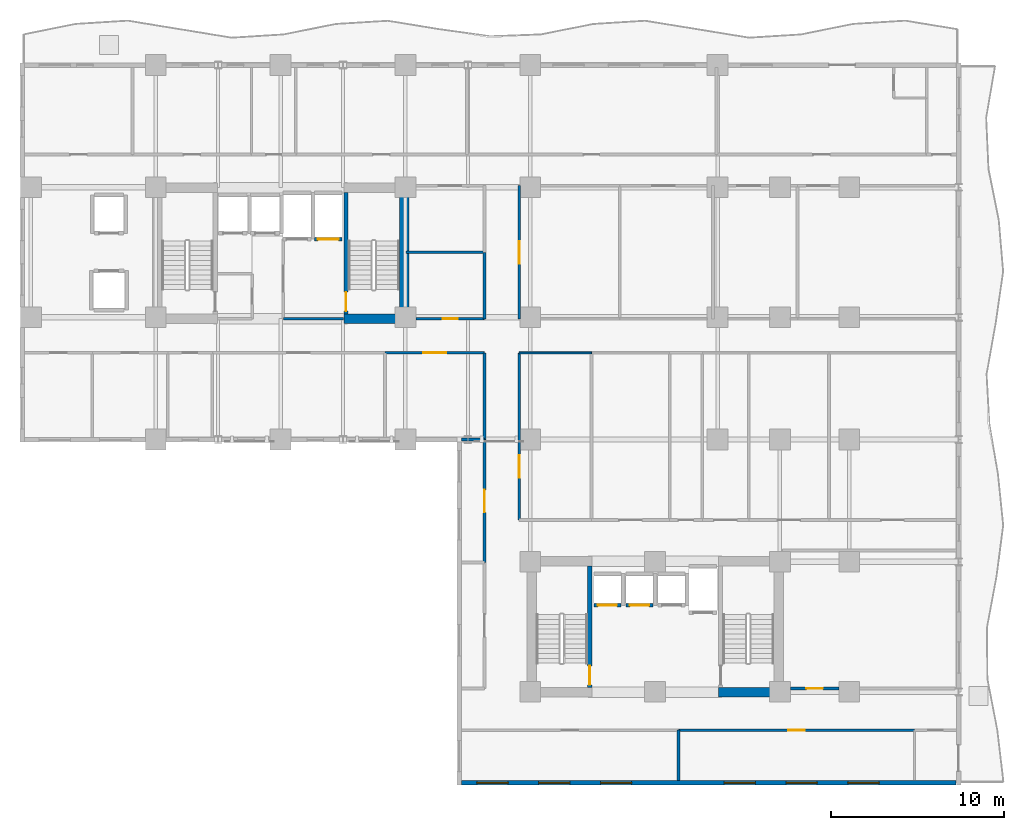
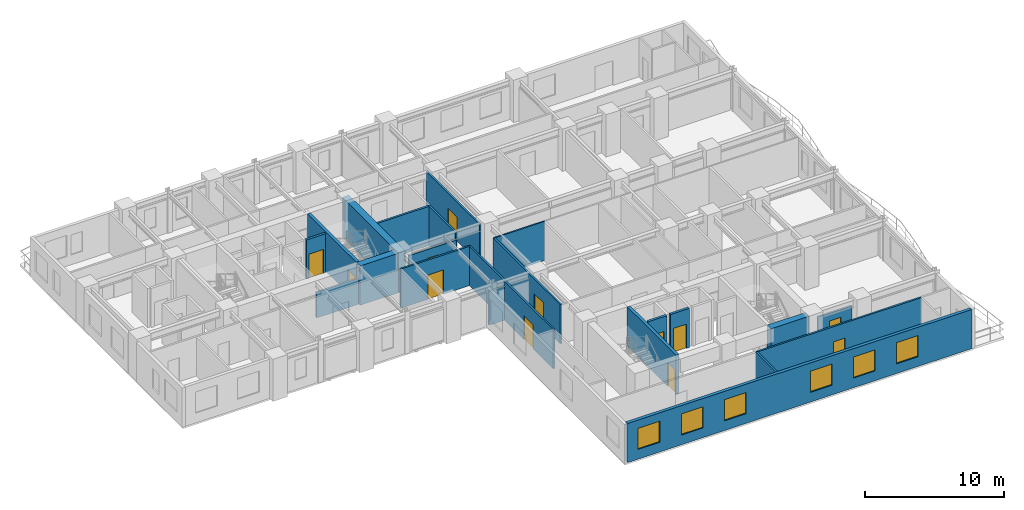
# One storey, part 4 of 11: 23 walls, 12 doors, 6 windows, 18 openings.
"""IFC4 building model written with IfcOpenShell, lengths in metres."""

import ifcopenshell
import ifcopenshell.guid

model = None  # the IFC model being written
_history = None  # IfcOwnerHistory: only IFC2X3 demands one
_inside = {}  # id of a spatial element -> (the spatial element, [elements in it])
_under = {}  # id of a project, library or spatial element -> (it, [spatial elements below it])
_declared = {}  # id of a project -> (the project, [libraries it declares])
_typed = {}  # id of a type object -> (the type object, [elements of that type])
_made_of = {}  # id of a material, layer set ... -> (it, [elements and type objects made of it])


def new_model(schema):
    """Start an empty IFC model of exactly this schema.

    Asked for "IFC4X3", IfcOpenShell would pick the latest addendum, in which some entities
    have other attributes; the version numbers below select the first issue.
    IFC2X3 requires an IfcOwnerHistory on every rooted entity: one is made here for all.
    """
    global model, _history
    if schema == "IFC4X3":
        model = ifcopenshell.file(schema_version=(4, 3, 0, 0))
    else:
        model = ifcopenshell.file(schema=schema)
    _inside.clear()
    _under.clear()
    _declared.clear()
    _typed.clear()
    _made_of.clear()
    _history = None
    if model.schema == "IFC2X3":
        org = make("IfcOrganization", Name="unknown")
        user = make(
            "IfcPersonAndOrganization",
            ThePerson=make("IfcPerson", FamilyName="unknown"),
            TheOrganization=org,
        )
        app = make(
            "IfcApplication",
            ApplicationDeveloper=org,
            Version="unknown",
            ApplicationFullName="unknown",
            ApplicationIdentifier="unknown",
        )
        _history = make(
            "IfcOwnerHistory",
            OwningUser=user,
            OwningApplication=app,
            ChangeAction="ADDED",
            CreationDate=0,
        )
    return model


def make(cls, **values):
    """One entity of the class cls with the attributes given. An attribute that is None is left unset."""
    return model.create_entity(
        cls, **{name: value for name, value in values.items() if value is not None}
    )


def rooted(cls, **values):
    """An entity with a GlobalId (a new one), such as an element, a storey or a relation."""
    return make(cls, GlobalId=ifcopenshell.guid.new(), OwnerHistory=_history, **values)


def si_unit(unit_type, name, prefix=None):
    """IfcSIUnit, for example si_unit("LENGTHUNIT", "METRE", prefix="MILLI")."""
    return make("IfcSIUnit", UnitType=unit_type, Prefix=prefix, Name=name)


def assignment(units):
    """IfcUnitAssignment: the units of a project."""
    return None if units is None else make("IfcUnitAssignment", Units=units)


def point(xyz):
    """IfcCartesianPoint."""
    return None if xyz is None else make("IfcCartesianPoint", Coordinates=xyz)


def direction(xyz):
    """IfcDirection."""
    return None if xyz is None else make("IfcDirection", DirectionRatios=xyz)


def frame(location, z_axis=None, x_axis=None):
    """IfcAxis2Placement3D, a coordinate frame: its origin and axes. An axis left out is left unset."""
    return make(
        "IfcAxis2Placement3D",
        Location=point(location),
        Axis=direction(z_axis),
        RefDirection=direction(x_axis),
    )


def frame_2d(location, x_axis=None):
    """IfcAxis2Placement2D, a coordinate frame in the plane: its origin and x axis."""
    return make(
        "IfcAxis2Placement2D", Location=point(location), RefDirection=direction(x_axis)
    )


def origin():
    """The frame at (0, 0, 0) with its axes left unset."""
    return frame((0.0, 0.0, 0.0))


def place(relative_to, where):
    """IfcLocalPlacement: puts the frame where relative to a parent placement (None: the world)."""
    return make(
        "IfcLocalPlacement", PlacementRelTo=relative_to, RelativePlacement=where
    )


def context(
    kind, dimensions, precision=None, world=None, true_north=None, identifier=None
):
    """IfcGeometricRepresentationContext, for example the 3D "Model" context."""
    return make(
        "IfcGeometricRepresentationContext",
        ContextIdentifier=identifier,
        ContextType=kind,
        CoordinateSpaceDimension=dimensions,
        Precision=precision,
        WorldCoordinateSystem=world,
        TrueNorth=true_north,
    )


def subcontext(parent, identifier, kind, view, scale=None):
    """IfcGeometricRepresentationSubContext, for example "Body" below "Model"."""
    return make(
        "IfcGeometricRepresentationSubContext",
        ContextIdentifier=identifier,
        ContextType=kind,
        ParentContext=parent,
        TargetScale=scale,
        TargetView=view,
    )


def project(units=None, contexts=None):
    """IfcProject with its units and contexts."""
    return rooted(
        "IfcProject",
        Name="project",
        RepresentationContexts=contexts,
        UnitsInContext=assignment(units),
    )


def spatial(cls, under=None, at=None, **own):
    """A site, building, storey or space (cls), placed at a placement, below another one or the project."""
    s = rooted(cls, ObjectPlacement=at, **own)
    if under is not None:
        _under.setdefault(under.id(), (under, []))[1].append(s)
    return s


def profile(cls, at=None, kind="AREA", **sizes):
    """A parametric profile (cls). Its sizes go by their IFC names, for example OverallWidth=200.0."""
    return make(cls, ProfileType=kind, Position=at, **sizes)


def rectangle(**sizes):
    """IfcRectangleProfileDef."""
    return profile("IfcRectangleProfileDef", **sizes)


def extrude(swept, where, along, depth):
    """IfcExtrudedAreaSolid: the profile swept, set in the frame where, extruded along a direction by depth."""
    return make(
        "IfcExtrudedAreaSolid",
        SweptArea=swept,
        Position=where,
        ExtrudedDirection=direction(along),
        Depth=depth,
    )


def shape(context_of_items, identifier, shape_type, items):
    """IfcShapeRepresentation: the items that make up one representation, for example the "Body"."""
    return make(
        "IfcShapeRepresentation",
        ContextOfItems=context_of_items,
        RepresentationIdentifier=identifier,
        RepresentationType=shape_type,
        Items=items,
    )


def material(Name=None, Category=None):
    """IfcMaterial."""
    return make("IfcMaterial", Name=Name, Category=Category)


def layer(
    of_material, thickness, ventilated=None, Name=None, Category=None, Priority=None
):
    """IfcMaterialLayer: one layer of a wall or slab, of a material (None: an air gap)."""
    return make(
        "IfcMaterialLayer",
        Material=of_material,
        LayerThickness=thickness,
        IsVentilated=ventilated,
        Name=Name,
        Category=Category,
        Priority=Priority,
    )


def layer_set(layers, Name=None):
    """IfcMaterialLayerSet."""
    return make("IfcMaterialLayerSet", MaterialLayers=layers, LayerSetName=Name)


def made_of(thing, what):
    """Note that an element or type object is made of a material, layer set ...; save() writes the relation."""
    if what is not None:
        _made_of.setdefault(what.id(), (what, []))[1].append(thing)
    return thing


def type_object(cls, material=None, **own):
    """A type object (cls), such as IfcWallType, which elements share."""
    return made_of(rooted(cls, **own), material)


def element(
    cls,
    number,
    at=None,
    inside=None,
    cuts=None,
    type_object=None,
    material=None,
    context=None,
    identifier="Body",
    shape_type=None,
    held_by="IfcProductDefinitionShape",
    body=None,
    shapes=None,
    **own,
):
    """One element of the class cls, such as IfcWall. Its Tag is "e" and its number.

    at: its placement. inside: the storey or other place that contains it. cuts: it is an
    opening in that element (IfcRelVoidsElement). A single representation is given by context,
    identifier, shape_type and body (its items); several are given by shapes. held_by: the class
    of the entity that holds the representations. save() writes the other relations.
    """
    e = rooted(cls, Tag="e%d" % number, ObjectPlacement=at, **own)
    if body is not None:
        shapes = [shape(context, identifier, shape_type, body)]
    if shapes is not None:
        e.Representation = make(held_by, Representations=shapes)
    if inside is not None:
        _inside.setdefault(inside.id(), (inside, []))[1].append(e)
    if cuts is not None:
        rooted(
            "IfcRelVoidsElement", RelatingBuildingElement=cuts, RelatedOpeningElement=e
        )
    if type_object is not None:
        _typed.setdefault(type_object.id(), (type_object, []))[1].append(e)
    return made_of(e, material)


def fill(opening, filler):
    """IfcRelFillsElement: the door or window that sits in an opening."""
    return rooted(
        "IfcRelFillsElement",
        RelatingOpeningElement=opening,
        RelatedBuildingElement=filler,
    )


def aggregate(whole, parts):
    """IfcRelAggregates: a whole, such as a stair, and the parts it consists of."""
    return rooted("IfcRelAggregates", RelatingObject=whole, RelatedObjects=parts)


def save(model, path):
    """Write the relations noted so far, then the file.

    IfcRelAggregates (storeys below a building ...), IfcRelContainedInSpatialStructure (elements
    in a storey), IfcRelDefinesByType, IfcRelAssociatesMaterial and IfcRelDeclares: one each for
    every whole, place, type object, material and project.
    """
    for whole, parts in _under.values():
        aggregate(whole, parts)
    for where, things in _inside.values():
        rooted(
            "IfcRelContainedInSpatialStructure",
            RelatedElements=things,
            RelatingStructure=where,
        )
    for kind, things in _typed.values():
        rooted("IfcRelDefinesByType", RelatedObjects=things, RelatingType=kind)
    for what, things in _made_of.values():
        rooted("IfcRelAssociatesMaterial", RelatedObjects=things, RelatingMaterial=what)
    for by, libraries in _declared.values():
        rooted("IfcRelDeclares", RelatingContext=by, RelatedDefinitions=libraries)
    model.write(path)


model = new_model("IFC4")

# Units and contexts
model_context = context("Model", 3, precision=1e-05, world=origin(), true_north=direction((0.0, 1.0)))
body_context = subcontext(model_context, "Body", "Model", "MODEL_VIEW")
ifc_project = project(units=[si_unit("LENGTHUNIT", "METRE"), si_unit("AREAUNIT", "SQUARE_METRE"), si_unit("VOLUMEUNIT", "CUBIC_METRE"), si_unit("PLANEANGLEUNIT", "RADIAN"), si_unit("MASSUNIT", "GRAM", prefix="KILO")], contexts=[model_context])

# Site, building, storey
site_placement = place(None, origin())
site = spatial("IfcSite", under=ifc_project, at=site_placement, CompositionType="ELEMENT")
building_placement = place(site_placement, origin())
building = spatial("IfcBuilding", under=site, at=building_placement, Name="Kaliganga Portal Commons", CompositionType="ELEMENT")
storey_placement = place(building_placement, frame((0.0, 0.0, 89.699951171875)))
storey = spatial("IfcBuildingStorey", under=building, at=storey_placement, Name="L22", CompositionType="ELEMENT", Elevation=89.699951171875)

# Walls
ifc_material_1 = material(Name="Concrete C60/75", Category="concrete")
ifc_layer_1 = layer(ifc_material_1, 0.550048828125)
ifc_layer_set_1 = layer_set([ifc_layer_1], Name="Concrete C60/75")
wall_type_1 = type_object("IfcWallType", Name="WL-CORE-550", PredefinedType="SHEAR", material=ifc_layer_set_1)
wall_1_placement = place(storey_placement, frame((28.72509765625, 28.300048828125, 0.0), z_axis=(0.0, 0.0, 1.0), x_axis=(0.0, 1.0, 0.0)))
element("IfcWall", 1, at=wall_1_placement, inside=storey, type_object=wall_type_1, Name="Core A East Shear Wall L22", PredefinedType="SHEAR", context=body_context, shape_type="SweptSolid", body=[
    extrude(rectangle(XDim=8.099853515625, YDim=0.550048828125, at=frame_2d((4.0498046875, 0.0))), origin(), (0.0, 0.0, 1.0), 3.449951171875),
])
for number, where, z_axis, x_axis, name in (
    (2, (25.25, 28.574951171875, 0.0), (0.0, 0.0, 1.0), (1.0, 0.0, 0.0), "Core A S-East Shear Wall L22"),
    (3, (46.85009765625, 7.02490234375, 0.0), (0.0, 0.0, 1.0), (1.0, 0.0, 0.0), "Core B S-East Shear Wall L22"),
):
    element("IfcWall", number, at=place(storey_placement, frame(where, z_axis=z_axis, x_axis=x_axis)), inside=storey, type_object=wall_type_1, Name=name, PredefinedType="SHEAR", context=body_context, shape_type="SweptSolid", body=[
        extrude(rectangle(XDim=3.199951171875, YDim=0.550048828125, at=frame_2d((1.60009765625, 0.0))), origin(), (0.0, 0.0, 1.0), 3.449951171875),
    ])

# Wall, openings, windows
ifc_material_2 = material(Name="Insulated Aluminium-Clad Spandrel Assembly", Category="aluminium")
ifc_layer_2 = layer(ifc_material_2, 0.260009765625)
ifc_layer_set_2 = layer_set([ifc_layer_2], Name="Insulated Aluminium-Clad Spandrel Assembly")
wall_type_2 = type_object("IfcWallType", Name="WL-EXT-SPAND-260", PredefinedType="STANDARD", material=ifc_layer_set_2)
wall_2_placement = place(storey_placement, frame((60.56494140625, 1.800048828125, 0.0), z_axis=(0.0, 0.0, 1.0), x_axis=(-1.0, 0.0, 0.0)))
wall_2 = element("IfcWall", 4, at=wall_2_placement, inside=storey, type_object=wall_type_2, Name="Exterior Envelope Wall L22 P1-E00-S1", PredefinedType="STANDARD", context=body_context, shape_type="SweptSolid", body=[
    extrude(rectangle(XDim=28.530029296875, YDim=0.260009765625, at=frame_2d((14.26513671875, 0.0))), origin(), (0.0, 0.0, 1.0), 3.429931640625),
])
opening_1_placement = place(wall_2_placement, frame((4.449462890625, 0.0, 0.85009765625)))
opening_1 = element("IfcOpeningElement", 5, at=opening_1_placement, cuts=wall_2, Name="Opening W-01", PredefinedType="OPENING", context=body_context, shape_type="SweptSolid", body=[
    extrude(rectangle(XDim=1.800048828125, YDim=1.85009765625, at=frame_2d((0.89990234375, 0.925048828125))), frame((0.0, 0.14013671875, 0.0), z_axis=(0.0, -1.0, 0.0), x_axis=(1.0, 0.0, 0.0)), (0.0, 0.0, 1.0), 0.280029296875),
])
opening_2_placement = place(wall_2_placement, frame((8.015625, 0.0, 0.85009765625)))
opening_2 = element("IfcOpeningElement", 6, at=opening_2_placement, cuts=wall_2, Name="Opening W-01", PredefinedType="OPENING", context=body_context, shape_type="SweptSolid", body=[
    extrude(rectangle(XDim=1.800048828125, YDim=1.85009765625, at=frame_2d((0.89990234375, 0.925048828125))), frame((0.0, 0.14013671875, 0.0), z_axis=(0.0, -1.0, 0.0), x_axis=(1.0, 0.0, 0.0)), (0.0, 0.0, 1.0), 0.280029296875),
])
opening_3_placement = place(wall_2_placement, frame((11.581787109375, 0.0, 0.85009765625)))
opening_3 = element("IfcOpeningElement", 7, at=opening_3_placement, cuts=wall_2, Name="Opening W-01", PredefinedType="OPENING", context=body_context, shape_type="SweptSolid", body=[
    extrude(rectangle(XDim=1.800048828125, YDim=1.85009765625, at=frame_2d((0.89990234375, 0.925048828125))), frame((0.0, 0.14013671875, 0.0), z_axis=(0.0, -1.0, 0.0), x_axis=(1.0, 0.0, 0.0)), (0.0, 0.0, 1.0), 0.280029296875),
])
opening_4_placement = place(wall_2_placement, frame((18.71435546875, 0.0, 0.85009765625)))
opening_4 = element("IfcOpeningElement", 8, at=opening_4_placement, cuts=wall_2, Name="Opening W-01", PredefinedType="OPENING", context=body_context, shape_type="SweptSolid", body=[
    extrude(rectangle(XDim=1.800048828125, YDim=1.85009765625, at=frame_2d((0.89990234375, 0.925048828125))), frame((0.0, 0.14013671875, 0.0), z_axis=(0.0, -1.0, 0.0), x_axis=(1.0, 0.0, 0.0)), (0.0, 0.0, 1.0), 0.280029296875),
])
opening_5_placement = place(wall_2_placement, frame((22.280517578125, 0.0, 0.85009765625)))
opening_5 = element("IfcOpeningElement", 9, at=opening_5_placement, cuts=wall_2, Name="Opening W-01", PredefinedType="OPENING", context=body_context, shape_type="SweptSolid", body=[
    extrude(rectangle(XDim=1.800048828125, YDim=1.85009765625, at=frame_2d((0.89990234375, 0.925048828125))), frame((0.0, 0.14013671875, 0.0), z_axis=(0.0, -1.0, 0.0), x_axis=(1.0, 0.0, 0.0)), (0.0, 0.0, 1.0), 0.280029296875),
])
opening_6_placement = place(wall_2_placement, frame((25.846923828125, 0.0, 0.85009765625)))
opening_6 = element("IfcOpeningElement", 10, at=opening_6_placement, cuts=wall_2, Name="Opening W-01", PredefinedType="OPENING", context=body_context, shape_type="SweptSolid", body=[
    extrude(rectangle(XDim=1.800048828125, YDim=1.85009765625, at=frame_2d((0.89990234375, 0.925048828125))), frame((0.0, 0.14013671875, 0.0), z_axis=(0.0, -1.0, 0.0), x_axis=(1.0, 0.0, 0.0)), (0.0, 0.0, 1.0), 0.280029296875),
])
ifc_material_3 = material(Name="Thermally Broken Aluminium and Low-E Double Glazing", Category="aluminium")
window_type = type_object("IfcWindowType", Name="WIN-STD-1800", PartitioningType="DOUBLE_PANEL_VERTICAL", PredefinedType="WINDOW", material=ifc_material_3)
window_1_placement = place(opening_1_placement, origin())
window_1 = element("IfcWindow", 11, at=window_1_placement, inside=storey, type_object=window_type, Name="Facade Window L22-P1E00S1-01", OverallHeight=1.85009765625, OverallWidth=1.800048828125, PartitioningType="SINGLE_PANEL", PredefinedType="WINDOW", context=body_context, shape_type="SweptSolid", body=[
    extrude(rectangle(XDim=1.800048828125, YDim=1.85009765625, at=frame_2d((0.89990234375, 0.925048828125))), frame((0.0, 0.030029296875, 0.0), z_axis=(0.0, -1.0, 0.0), x_axis=(1.0, 0.0, 0.0)), (0.0, 0.0, 1.0), 0.06005859375),
])
fill(opening_1, window_1)
window_2_placement = place(opening_2_placement, origin())
window_2 = element("IfcWindow", 12, at=window_2_placement, inside=storey, type_object=window_type, Name="Facade Window L22-P1E00S1-02", OverallHeight=1.85009765625, OverallWidth=1.800048828125, PartitioningType="SINGLE_PANEL", PredefinedType="WINDOW", context=body_context, shape_type="SweptSolid", body=[
    extrude(rectangle(XDim=1.800048828125, YDim=1.85009765625, at=frame_2d((0.89990234375, 0.925048828125))), frame((0.0, 0.030029296875, 0.0), z_axis=(0.0, -1.0, 0.0), x_axis=(1.0, 0.0, 0.0)), (0.0, 0.0, 1.0), 0.06005859375),
])
fill(opening_2, window_2)
window_3_placement = place(opening_3_placement, origin())
window_3 = element("IfcWindow", 13, at=window_3_placement, inside=storey, type_object=window_type, Name="Facade Window L22-P1E00S1-03", OverallHeight=1.85009765625, OverallWidth=1.800048828125, PartitioningType="SINGLE_PANEL", PredefinedType="WINDOW", context=body_context, shape_type="SweptSolid", body=[
    extrude(rectangle(XDim=1.800048828125, YDim=1.85009765625, at=frame_2d((0.89990234375, 0.925048828125))), frame((0.0, 0.030029296875, 0.0), z_axis=(0.0, -1.0, 0.0), x_axis=(1.0, 0.0, 0.0)), (0.0, 0.0, 1.0), 0.06005859375),
])
fill(opening_3, window_3)
window_4_placement = place(opening_4_placement, origin())
window_4 = element("IfcWindow", 14, at=window_4_placement, inside=storey, type_object=window_type, Name="Facade Window L22-P1E00S1-05", OverallHeight=1.85009765625, OverallWidth=1.800048828125, PartitioningType="SINGLE_PANEL", PredefinedType="WINDOW", context=body_context, shape_type="SweptSolid", body=[
    extrude(rectangle(XDim=1.800048828125, YDim=1.85009765625, at=frame_2d((0.89990234375, 0.925048828125))), frame((0.0, 0.030029296875, 0.0), z_axis=(0.0, -1.0, 0.0), x_axis=(1.0, 0.0, 0.0)), (0.0, 0.0, 1.0), 0.06005859375),
])
fill(opening_4, window_4)
window_5_placement = place(opening_5_placement, origin())
window_5 = element("IfcWindow", 15, at=window_5_placement, inside=storey, type_object=window_type, Name="Facade Window L22-P1E00S1-06", OverallHeight=1.85009765625, OverallWidth=1.800048828125, PartitioningType="SINGLE_PANEL", PredefinedType="WINDOW", context=body_context, shape_type="SweptSolid", body=[
    extrude(rectangle(XDim=1.800048828125, YDim=1.85009765625, at=frame_2d((0.89990234375, 0.925048828125))), frame((0.0, 0.030029296875, 0.0), z_axis=(0.0, -1.0, 0.0), x_axis=(1.0, 0.0, 0.0)), (0.0, 0.0, 1.0), 0.06005859375),
])
fill(opening_5, window_5)
window_6_placement = place(opening_6_placement, origin())
window_6 = element("IfcWindow", 16, at=window_6_placement, inside=storey, type_object=window_type, Name="Facade Window L22-P1E00S1-07", OverallHeight=1.85009765625, OverallWidth=1.800048828125, PartitioningType="SINGLE_PANEL", PredefinedType="WINDOW", context=body_context, shape_type="SweptSolid", body=[
    extrude(rectangle(XDim=1.800048828125, YDim=1.85009765625, at=frame_2d((0.89990234375, 0.925048828125))), frame((0.0, 0.030029296875, 0.0), z_axis=(0.0, -1.0, 0.0), x_axis=(1.0, 0.0, 0.0)), (0.0, 0.0, 1.0), 0.06005859375),
])
fill(opening_6, window_6)

# Wall, opening, door
ifc_material_4 = material(Name="Fire-Rated Gypsum Board on Steel Stud", Category="steel")
ifc_layer_3 = layer(ifc_material_4, 0.14990234375)
ifc_layer_set_3 = layer_set([ifc_layer_3], Name="Fire-Rated Gypsum Board on Steel Stud")
wall_type_3 = type_object("IfcWallType", Name="WL-PART-CORR-150", PredefinedType="PARTITIONING", material=ifc_layer_set_3)
wall_3_placement = place(storey_placement, frame((44.5400390625, 4.840087890625, 0.0), z_axis=(0.0, 0.0, 1.0), x_axis=(1.0, 0.0, 0.0)))
wall_3 = element("IfcWall", 17, at=wall_3_placement, inside=storey, type_object=wall_type_3, Name="Interior Partition L22-005", PredefinedType="PARTITIONING", context=body_context, shape_type="SweptSolid", body=[
    extrude(rectangle(XDim=13.619873046875, YDim=0.14990234375, at=frame_2d((6.81005859375, 0.0))), origin(), (0.0, 0.0, 1.0), 3.429931640625),
])
opening_7_placement = place(wall_3_placement, frame((6.3349609375, 0.0, 0.0)))
opening_7 = element("IfcOpeningElement", 18, at=opening_7_placement, cuts=wall_3, Name="Opening UD-01", PredefinedType="OPENING", context=body_context, shape_type="SweptSolid", body=[
    extrude(rectangle(XDim=0.949951171875, YDim=2.10009765625, at=frame_2d((0.47509765625, 1.050048828125))), frame((0.0, 0.0849609375, 0.0), z_axis=(0.0, -1.0, 0.0), x_axis=(1.0, 0.0, 0.0)), (0.0, 0.0, 1.0), 0.169921875),
])
ifc_material_5 = material(Name="Solid-Core Timber Acoustic Fire Door", Category="wood")
door_type_1 = type_object("IfcDoorType", Name="DR-UNIT-950", OperationType="NOTDEFINED", PredefinedType="DOOR", material=ifc_material_5)
door_1_placement = place(opening_7_placement, origin())
door_1 = element("IfcDoor", 19, at=door_1_placement, inside=storey, type_object=door_type_1, Name="Interior Door L22-BS02", OperationType="SINGLE_SWING_LEFT", OverallHeight=2.10009765625, OverallWidth=0.949951171875, PredefinedType="DOOR", context=body_context, shape_type="SweptSolid", body=[
    extrude(rectangle(XDim=0.949951171875, YDim=2.10009765625, at=frame_2d((0.47509765625, 1.050048828125))), frame((0.0, 0.02490234375, 0.0), z_axis=(0.0, -1.0, 0.0), x_axis=(1.0, 0.0, 0.0)), (0.0, 0.0, 1.0), 0.050048828125),
])
fill(opening_7, door_1)

wall_4_placement = place(storey_placement, frame((51.0, 7.239990234375, 0.0), z_axis=(0.0, 0.0, 1.0), x_axis=(1.0, 0.0, 0.0)))
wall_4 = element("IfcWall", 20, at=wall_4_placement, inside=storey, type_object=wall_type_3, Name="Interior Partition L22-008", PredefinedType="PARTITIONING", context=body_context, shape_type="SweptSolid", body=[
    extrude(rectangle(XDim=2.800048828125, YDim=0.14990234375, at=frame_2d((1.39990234375, 0.0))), origin(), (0.0, 0.0, 1.0), 2.780029296875),
])
opening_8_placement = place(wall_4_placement, frame((0.925048828125, 0.0, 0.0)))
opening_8 = element("IfcOpeningElement", 21, at=opening_8_placement, cuts=wall_4, Name="Opening UD-01", PredefinedType="OPENING", context=body_context, shape_type="SweptSolid", body=[
    extrude(rectangle(XDim=0.949951171875, YDim=2.10009765625, at=frame_2d((0.47509765625, 1.050048828125))), frame((0.0, 0.0849609375, 0.0), z_axis=(0.0, -1.0, 0.0), x_axis=(1.0, 0.0, 0.0)), (0.0, 0.0, 1.0), 0.169921875),
])
door_2_placement = place(opening_8_placement, origin())
door_2 = element("IfcDoor", 22, at=door_2_placement, inside=storey, type_object=door_type_1, Name="Interior Door L22-BE01", OperationType="SINGLE_SWING_RIGHT", OverallHeight=2.10009765625, OverallWidth=0.949951171875, PredefinedType="DOOR", context=body_context, shape_type="SweptSolid", body=[
    extrude(rectangle(XDim=0.949951171875, YDim=2.10009765625, at=frame_2d((0.47509765625, 1.050048828125))), frame((0.0, 0.02490234375, 0.0), z_axis=(0.0, -1.0, 0.0), x_axis=(1.0, 0.0, 0.0)), (0.0, 0.0, 1.0), 0.050048828125),
])
fill(opening_8, door_2)

wall_5_placement = place(storey_placement, frame((35.360107421875, 16.9599609375, 0.0), z_axis=(0.0, 0.0, 1.0), x_axis=(0.0, 1.0, 0.0)))
wall_5 = element("IfcWall", 23, at=wall_5_placement, inside=storey, type_object=wall_type_3, Name="Interior Partition L22-013", PredefinedType="PARTITIONING", context=body_context, shape_type="SweptSolid", body=[
    extrude(rectangle(XDim=9.64013671875, YDim=0.14990234375, at=frame_2d((4.820068359375, 0.0))), origin(), (0.0, 0.0, 1.0), 3.429931640625),
])
opening_9_placement = place(wall_5_placement, frame((2.434814453125, 0.0, 0.0)))
opening_9 = element("IfcOpeningElement", 24, at=opening_9_placement, cuts=wall_5, Name="Opening RD-03", PredefinedType="OPENING", context=body_context, shape_type="SweptSolid", body=[
    extrude(rectangle(XDim=1.300048828125, YDim=2.1201171875, at=frame_2d((0.64990234375, 1.06005859375))), frame((0.0, 0.0849609375, 0.0), z_axis=(0.0, -1.0, 0.0), x_axis=(1.0, 0.0, 0.0)), (0.0, 0.0, 1.0), 0.169921875),
])
ifc_material_6 = material(Name="Glazed Timber Seminar Vision Door", Category="wood")
door_type_2 = type_object("IfcDoorType", Name="DR-STUDY-1300", OperationType="DOUBLE_DOOR_SINGLE_SWING", PredefinedType="DOOR", material=ifc_material_6)
door_3_placement = place(opening_9_placement, origin())
door_3 = element("IfcDoor", 25, at=door_3_placement, inside=storey, type_object=door_type_2, Name="Interior Door L22-BM01", OperationType="DOUBLE_DOOR_SINGLE_SWING", OverallHeight=2.1201171875, OverallWidth=1.300048828125, PredefinedType="DOOR", context=body_context, shape_type="SweptSolid", body=[
    extrude(rectangle(XDim=1.300048828125, YDim=2.1201171875, at=frame_2d((0.64990234375, 1.06005859375))), frame((0.0, 0.02490234375, 0.0), z_axis=(0.0, -1.0, 0.0), x_axis=(1.0, 0.0, 0.0)), (0.0, 0.0, 1.0), 0.050048828125),
])
fill(opening_9, door_3)

wall_6_placement = place(storey_placement, frame((35.360107421875, 28.56005859375, 0.0), z_axis=(0.0, 0.0, 1.0), x_axis=(0.0, 1.0, 0.0)))
wall_6 = element("IfcWall", 26, at=wall_6_placement, inside=storey, type_object=wall_type_3, Name="Interior Partition L22-016", PredefinedType="PARTITIONING", context=body_context, shape_type="SweptSolid", body=[
    extrude(rectangle(XDim=7.679931640625, YDim=0.14990234375, at=frame_2d((3.83984375, 0.0))), origin(), (0.0, 0.0, 1.0), 3.429931640625),
])
opening_10_placement = place(wall_6_placement, frame((3.18994140625, 0.0, 0.0)))
opening_10 = element("IfcOpeningElement", 27, at=opening_10_placement, cuts=wall_6, Name="Opening RD-03", PredefinedType="OPENING", context=body_context, shape_type="SweptSolid", body=[
    extrude(rectangle(XDim=1.300048828125, YDim=2.1201171875, at=frame_2d((0.64990234375, 1.06005859375))), frame((0.0, 0.0849609375, 0.0), z_axis=(0.0, -1.0, 0.0), x_axis=(1.0, 0.0, 0.0)), (0.0, 0.0, 1.0), 0.169921875),
])
door_4_placement = place(opening_10_placement, origin())
door_4 = element("IfcDoor", 28, at=door_4_placement, inside=storey, type_object=door_type_2, Name="Interior Door L22-BK01", OperationType="DOUBLE_DOOR_SINGLE_SWING", OverallHeight=2.1201171875, OverallWidth=1.300048828125, PredefinedType="DOOR", context=body_context, shape_type="SweptSolid", body=[
    extrude(rectangle(XDim=1.300048828125, YDim=2.1201171875, at=frame_2d((0.64990234375, 1.06005859375))), frame((0.0, 0.02490234375, 0.0), z_axis=(0.0, -1.0, 0.0), x_axis=(1.0, 0.0, 0.0)), (0.0, 0.0, 1.0), 0.050048828125),
])
fill(opening_10, door_4)

wall_7_placement = place(storey_placement, frame((33.360107421875, 14.5, 0.0), z_axis=(0.0, 0.0, 1.0), x_axis=(0.0, 1.0, 0.0)))
wall_7 = element("IfcWall", 29, at=wall_7_placement, inside=storey, type_object=wall_type_3, Name="Interior Partition L22-019", PredefinedType="PARTITIONING", context=body_context, shape_type="SweptSolid", body=[
    extrude(rectangle(XDim=7.10009765625, YDim=0.14990234375, at=frame_2d((3.550048828125, 0.0))), origin(), (0.0, 0.0, 1.0), 3.429931640625),
])
opening_11_placement = place(wall_7_placement, frame((2.89990234375, 0.0, 0.0)))
opening_11 = element("IfcOpeningElement", 30, at=opening_11_placement, cuts=wall_7, Name="Opening RD-03", PredefinedType="OPENING", context=body_context, shape_type="SweptSolid", body=[
    extrude(rectangle(XDim=1.300048828125, YDim=2.1201171875, at=frame_2d((0.64990234375, 1.06005859375))), frame((0.0, 0.0849609375, 0.0), z_axis=(0.0, -1.0, 0.0), x_axis=(1.0, 0.0, 0.0)), (0.0, 0.0, 1.0), 0.169921875),
])
door_5_placement = place(opening_11_placement, origin())
door_5 = element("IfcDoor", 31, at=door_5_placement, inside=storey, type_object=door_type_2, Name="Interior Door L22-KW02", OperationType="DOUBLE_DOOR_SINGLE_SWING", OverallHeight=2.1201171875, OverallWidth=1.300048828125, PredefinedType="DOOR", context=body_context, shape_type="SweptSolid", body=[
    extrude(rectangle(XDim=1.300048828125, YDim=2.1201171875, at=frame_2d((0.64990234375, 1.06005859375))), frame((0.0, 0.02490234375, 0.0), z_axis=(0.0, -1.0, 0.0), x_axis=(1.0, 0.0, 0.0)), (0.0, 0.0, 1.0), 0.050048828125),
])
fill(opening_11, door_5)

wall_8_placement = place(storey_placement, frame((27.6201171875, 26.60009765625, 0.0), z_axis=(0.0, 0.0, 1.0), x_axis=(1.0, 0.0, 0.0)))
wall_8 = element("IfcWall", 32, at=wall_8_placement, inside=storey, type_object=wall_type_3, Name="Interior Partition L22-023", PredefinedType="PARTITIONING", context=body_context, shape_type="SweptSolid", body=[
    extrude(rectangle(XDim=5.739990234375, YDim=0.14990234375, at=frame_2d((2.8701171875, 0.0))), origin(), (0.0, 0.0, 1.0), 3.429931640625),
])
opening_12_placement = place(wall_8_placement, frame((2.219970703125, 0.0, 0.0)))
opening_12 = element("IfcOpeningElement", 33, at=opening_12_placement, cuts=wall_8, Name="Opening RD-03", PredefinedType="OPENING", context=body_context, shape_type="SweptSolid", body=[
    extrude(rectangle(XDim=1.300048828125, YDim=2.1201171875, at=frame_2d((0.64990234375, 1.06005859375))), frame((0.0, 0.0849609375, 0.0), z_axis=(0.0, -1.0, 0.0), x_axis=(1.0, 0.0, 0.0)), (0.0, 0.0, 1.0), 0.169921875),
])
door_6_placement = place(opening_12_placement, origin())
door_6 = element("IfcDoor", 34, at=door_6_placement, inside=storey, type_object=door_type_2, Name="Interior Door L22-AS05", OperationType="DOUBLE_DOOR_SINGLE_SWING", OverallHeight=2.1201171875, OverallWidth=1.300048828125, PredefinedType="DOOR", context=body_context, shape_type="SweptSolid", body=[
    extrude(rectangle(XDim=1.300048828125, YDim=2.1201171875, at=frame_2d((0.64990234375, 1.06005859375))), frame((0.0, 0.02490234375, 0.0), z_axis=(0.0, -1.0, 0.0), x_axis=(1.0, 0.0, 0.0)), (0.0, 0.0, 1.0), 0.050048828125),
])
fill(opening_12, door_6)

# Wall
wall_9_placement = place(storey_placement, frame((33.360107421875, 21.60009765625, 0.0), z_axis=(0.0, 0.0, 1.0), x_axis=(0.0, 1.0, 0.0)))
element("IfcWall", 35, at=wall_9_placement, inside=storey, type_object=wall_type_3, Name="Interior Partition L22-025", PredefinedType="PARTITIONING", context=body_context, shape_type="SweptSolid", body=[
    extrude(rectangle(XDim=5.0, YDim=0.14990234375, at=frame_2d((2.5, 0.0))), origin(), (0.0, 0.0, 1.0), 3.429931640625),
])

# Wall, opening, door
wall_10_placement = place(storey_placement, frame((29.39990234375, 28.56005859375, 0.0), z_axis=(0.0, 0.0, 1.0), x_axis=(1.0, 0.0, 0.0)))
wall_10 = element("IfcWall", 36, at=wall_10_placement, inside=storey, type_object=wall_type_3, Name="Interior Partition L22-029", PredefinedType="PARTITIONING", context=body_context, shape_type="SweptSolid", body=[
    extrude(rectangle(XDim=3.960205078125, YDim=0.14990234375, at=frame_2d((1.97998046875, 0.0))), origin(), (0.0, 0.0, 1.0), 2.780029296875),
])
opening_13_placement = place(wall_10_placement, frame((1.550048828125, 0.0, 0.0)))
opening_13 = element("IfcOpeningElement", 37, at=opening_13_placement, cuts=wall_10, Name="Opening WD-02", PredefinedType="OPENING", context=body_context, shape_type="SweptSolid", body=[
    extrude(rectangle(XDim=0.860107421875, YDim=2.02001953125, at=frame_2d((0.43017578125, 1.010009765625))), frame((0.0, 0.0849609375, 0.0), z_axis=(0.0, -1.0, 0.0), x_axis=(1.0, 0.0, 0.0)), (0.0, 0.0, 1.0), 0.169921875),
])
ifc_material_7 = material(Name="Fire-Rated Utility Closet Door", Category="wood")
door_type_3 = type_object("IfcDoorType", Name="DR-STORE-800", OperationType="NOTDEFINED", PredefinedType="DOOR", material=ifc_material_7)
door_7_placement = place(opening_13_placement, origin())
door_7 = element("IfcDoor", 38, at=door_7_placement, inside=storey, type_object=door_type_3, Name="Interior Door L22-CSRV_A1", OperationType="SINGLE_SWING_LEFT", OverallHeight=2.02001953125, OverallWidth=0.860107421875, PredefinedType="DOOR", context=body_context, shape_type="SweptSolid", body=[
    extrude(rectangle(XDim=0.860107421875, YDim=2.02001953125, at=frame_2d((0.43017578125, 1.010009765625))), frame((0.0, 0.02490234375, 0.0), z_axis=(0.0, -1.0, 0.0), x_axis=(1.0, 0.0, 0.0)), (0.0, 0.0, 1.0), 0.050048828125),
])
fill(opening_13, door_7)

# Walls
wall_11_placement = place(storey_placement, frame((33.360107421875, 28.56005859375, 0.0), z_axis=(0.0, 0.0, 1.0), x_axis=(0.0, 1.0, 0.0)))
element("IfcWall", 39, at=wall_11_placement, inside=storey, type_object=wall_type_3, Name="Interior Partition L22-036", PredefinedType="PARTITIONING", context=body_context, shape_type="SweptSolid", body=[
    extrude(rectangle(XDim=3.83984375, YDim=0.14990234375, at=frame_2d((1.919921875, 0.0))), origin(), (0.0, 0.0, 1.0), 3.429931640625),
])
wall_12_placement = place(storey_placement, frame((21.760009765625, 28.56005859375, 0.0), z_axis=(0.0, 0.0, 1.0), x_axis=(1.0, 0.0, 0.0)))
element("IfcWall", 40, at=wall_12_placement, inside=storey, type_object=wall_type_3, Name="Interior Partition L22-076", PredefinedType="PARTITIONING", context=body_context, shape_type="SweptSolid", body=[
    extrude(rectangle(XDim=3.47998046875, YDim=0.14990234375, at=frame_2d((1.739990234375, 0.0))), origin(), (0.0, 0.0, 1.0), 2.22998046875),
])
ifc_material_8 = material(Name="Moisture-Resistant Gypsum Partition", Category="gypsum")
ifc_layer_4 = layer(ifc_material_8, 0.114990234375)
ifc_layer_set_4 = layer_set([ifc_layer_4], Name="Moisture-Resistant Gypsum Partition")
wall_type_4 = type_object("IfcWallType", Name="WL-PART-ROOM-115", PredefinedType="PARTITIONING", material=ifc_layer_set_4)
wall_13_placement = place(storey_placement, frame((35.360107421875, 26.60009765625, 0.0), z_axis=(0.0, 0.0, 1.0), x_axis=(1.0, 0.0, 0.0)))
element("IfcWall", 41, at=wall_13_placement, inside=storey, type_object=wall_type_4, Name="Interior Partition L22-075", PredefinedType="PARTITIONING", context=body_context, shape_type="SweptSolid", body=[
    extrude(rectangle(XDim=4.179931640625, YDim=0.114990234375, at=frame_2d((2.08984375, 0.0))), origin(), (0.0, 0.0, 1.0), 3.429931640625),
])
ifc_material_9 = material(Name="Twin-Stud Acoustic Gypsum Partition", Category="gypsum")
ifc_layer_5 = layer(ifc_material_9, 0.1650390625)
ifc_layer_set_5 = layer_set([ifc_layer_5], Name="Twin-Stud Acoustic Gypsum Partition")
wall_type_5 = type_object("IfcWallType", Name="WL-PART-UNIT-165", PredefinedType="PARTITIONING", material=ifc_layer_set_5)
wall_14_placement = place(storey_placement, frame((28.840087890625, 32.39990234375, 0.0), z_axis=(0.0, 0.0, 1.0), x_axis=(1.0, 0.0, 0.0)))
element("IfcWall", 42, at=wall_14_placement, inside=storey, type_object=wall_type_5, Name="Interior Partition L22-073", PredefinedType="PARTITIONING", context=body_context, shape_type="SweptSolid", body=[
    extrude(rectangle(XDim=4.52001953125, YDim=0.1650390625, at=frame_2d((2.260009765625, 0.0))), origin(), (0.0, 0.0, 1.0), 3.429931640625),
])
wall_15_placement = place(storey_placement, frame((44.5400390625, 1.931884765625, 0.0), z_axis=(0.0, 0.0, 1.0), x_axis=(0.0, 1.0, 0.0)))
element("IfcWall", 43, at=wall_15_placement, inside=storey, type_object=wall_type_5, Name="Interior Partition L22-078", PredefinedType="PARTITIONING", context=body_context, shape_type="SweptSolid", body=[
    extrude(rectangle(XDim=2.908203125, YDim=0.1650390625, at=frame_2d((1.4541015625, 0.0))), origin(), (0.0, 0.0, 1.0), 3.429931640625),
])
wall_16_placement = place(storey_placement, frame((32.031982421875, 21.60009765625, 0.0), z_axis=(0.0, 0.0, 1.0), x_axis=(1.0, 0.0, 0.0)))
element("IfcWall", 44, at=wall_16_placement, inside=storey, type_object=wall_type_5, Name="Interior Partition L22-083", PredefinedType="PARTITIONING", context=body_context, shape_type="SweptSolid", body=[
    extrude(rectangle(XDim=1.328125, YDim=0.1650390625, at=frame_2d((0.6640625, 0.0))), origin(), (0.0, 0.0, 1.0), 2.929931640625),
])

# Wall, opening, door
ifc_material_10 = material(Name="Fire-Rated Shaftwall Masonry Assembly", Category="masonry")
ifc_layer_6 = layer(ifc_material_10, 0.199951171875)
ifc_layer_set_6 = layer_set([ifc_layer_6], Name="Fire-Rated Shaftwall Masonry Assembly")
wall_type_6 = type_object("IfcWallType", Name="WL-SHAFT-200", PredefinedType="PARTITIONING", material=ifc_layer_set_6)
wall_17_placement = place(storey_placement, frame((23.550048828125, 33.159912109375, 0.0), z_axis=(0.0, 0.0, 1.0), x_axis=(1.0, 0.0, 0.0)))
wall_17 = element("IfcWall", 45, at=wall_17_placement, inside=storey, type_object=wall_type_6, Name="Lift FFL-2 Hoistway Shaft Wall L22-S", PredefinedType="PARTITIONING", context=body_context, shape_type="SweptSolid", body=[
    extrude(rectangle(XDim=1.599853515625, YDim=0.199951171875, at=frame_2d((0.7998046875, 0.0))), origin(), (0.0, 0.0, 1.0), 3.429931640625),
])
opening_14_placement = place(wall_17_placement, frame((0.199951171875, 0.0, 0.0)))
opening_14 = element("IfcOpeningElement", 46, at=opening_14_placement, cuts=wall_17, Name="Opening LD-02", PredefinedType="OPENING", context=body_context, shape_type="SweptSolid", body=[
    extrude(rectangle(XDim=1.199951171875, YDim=2.1201171875, at=frame_2d((0.60009765625, 1.06005859375))), frame((0.0, 0.10986328125, 0.0), z_axis=(0.0, -1.0, 0.0), x_axis=(1.0, 0.0, 0.0)), (0.0, 0.0, 1.0), 0.219970703125),
])
ifc_material_11 = material(Name="Brushed Stainless Steel 316 Stretcher Lift Landing Door", Category="steel")
door_type_4 = type_object("IfcDoorType", Name="DR-LIFT-1200", OperationType="SLIDING_TO_RIGHT", PredefinedType="DOOR", material=ifc_material_11)
door_8_placement = place(opening_14_placement, origin())
door_8 = element("IfcDoor", 47, at=door_8_placement, inside=storey, type_object=door_type_4, Name="Lift FFL-2 Sliding Landing Door L22", OperationType="SLIDING_TO_RIGHT", OverallHeight=2.1201171875, OverallWidth=1.199951171875, PredefinedType="DOOR", context=body_context, shape_type="SweptSolid", body=[
    extrude(rectangle(XDim=1.199951171875, YDim=2.1201171875, at=frame_2d((0.60009765625, 1.06005859375))), frame((0.0, 0.02490234375, 0.0), z_axis=(0.0, -1.0, 0.0), x_axis=(1.0, 0.0, 0.0)), (0.0, 0.0, 1.0), 0.050048828125),
])
fill(opening_14, door_8)

wall_18_placement = place(storey_placement, frame((39.675048828125, 12.034912109375, 0.0), z_axis=(0.0, 0.0, 1.0), x_axis=(1.0, 0.0, 0.0)))
wall_18 = element("IfcWall", 48, at=wall_18_placement, inside=storey, type_object=wall_type_6, Name="Lift PL-B1 Hoistway Shaft Wall L22-S", PredefinedType="PARTITIONING", context=body_context, shape_type="SweptSolid", body=[
    extrude(rectangle(XDim=1.550048828125, YDim=0.199951171875, at=frame_2d((0.77490234375, 0.0))), origin(), (0.0, 0.0, 1.0), 3.429931640625),
])
opening_15_placement = place(wall_18_placement, frame((0.22509765625, 0.0, 0.0)))
opening_15 = element("IfcOpeningElement", 49, at=opening_15_placement, cuts=wall_18, Name="Opening LD-01", PredefinedType="OPENING", context=body_context, shape_type="SweptSolid", body=[
    extrude(rectangle(XDim=1.10009765625, YDim=2.1201171875, at=frame_2d((0.550048828125, 1.06005859375))), frame((0.0, 0.10986328125, 0.0), z_axis=(0.0, -1.0, 0.0), x_axis=(1.0, 0.0, 0.0)), (0.0, 0.0, 1.0), 0.219970703125),
])
ifc_material_12 = material(Name="Brushed Stainless Steel 316 Lift Landing Door", Category="steel")
door_type_5 = type_object("IfcDoorType", Name="DR-LIFT-1100", OperationType="SLIDING_TO_LEFT", PredefinedType="DOOR", material=ifc_material_12)
door_9_placement = place(opening_15_placement, origin())
door_9 = element("IfcDoor", 50, at=door_9_placement, inside=storey, type_object=door_type_5, Name="Lift PL-B1 Sliding Landing Door L22", OperationType="SLIDING_TO_LEFT", OverallHeight=2.1201171875, OverallWidth=1.10009765625, PredefinedType="DOOR", context=body_context, shape_type="SweptSolid", body=[
    extrude(rectangle(XDim=1.10009765625, YDim=2.1201171875, at=frame_2d((0.550048828125, 1.06005859375))), frame((0.0, 0.02490234375, 0.0), z_axis=(0.0, -1.0, 0.0), x_axis=(1.0, 0.0, 0.0)), (0.0, 0.0, 1.0), 0.050048828125),
])
fill(opening_15, door_9)

wall_19_placement = place(storey_placement, frame((41.52490234375, 12.034912109375, 0.0), z_axis=(0.0, 0.0, 1.0), x_axis=(1.0, 0.0, 0.0)))
wall_19 = element("IfcWall", 51, at=wall_19_placement, inside=storey, type_object=wall_type_6, Name="Lift PL-B2 Hoistway Shaft Wall L22-S", PredefinedType="PARTITIONING", context=body_context, shape_type="SweptSolid", body=[
    extrude(rectangle(XDim=1.550048828125, YDim=0.199951171875, at=frame_2d((0.77490234375, 0.0))), origin(), (0.0, 0.0, 1.0), 3.429931640625),
])
opening_16_placement = place(wall_19_placement, frame((0.22509765625, 0.0, 0.0)))
opening_16 = element("IfcOpeningElement", 52, at=opening_16_placement, cuts=wall_19, Name="Opening LD-01", PredefinedType="OPENING", context=body_context, shape_type="SweptSolid", body=[
    extrude(rectangle(XDim=1.10009765625, YDim=2.1201171875, at=frame_2d((0.550048828125, 1.06005859375))), frame((0.0, 0.10986328125, 0.0), z_axis=(0.0, -1.0, 0.0), x_axis=(1.0, 0.0, 0.0)), (0.0, 0.0, 1.0), 0.219970703125),
])
door_10_placement = place(opening_16_placement, origin())
door_10 = element("IfcDoor", 53, at=door_10_placement, inside=storey, type_object=door_type_5, Name="Lift PL-B2 Sliding Landing Door L22", OperationType="SLIDING_TO_LEFT", OverallHeight=2.1201171875, OverallWidth=1.10009765625, PredefinedType="DOOR", context=body_context, shape_type="SweptSolid", body=[
    extrude(rectangle(XDim=1.10009765625, YDim=2.1201171875, at=frame_2d((0.550048828125, 1.06005859375))), frame((0.0, 0.02490234375, 0.0), z_axis=(0.0, -1.0, 0.0), x_axis=(1.0, 0.0, 0.0)), (0.0, 0.0, 1.0), 0.050048828125),
])
fill(opening_16, door_10)

ifc_material_13 = material(Name="Concrete C50/60", Category="concrete")
ifc_layer_7 = layer(ifc_material_13, 0.25)
ifc_layer_set_7 = layer_set([ifc_layer_7], Name="Concrete C50/60")
wall_type_7 = type_object("IfcWallType", Name="WL-STAIR-250", PredefinedType="SHEAR", material=ifc_layer_set_7)
wall_20_placement = place(storey_placement, frame((25.375, 28.85009765625, 0.0), z_axis=(0.0, 0.0, 1.0), x_axis=(0.0, 1.0, 0.0)))
wall_20 = element("IfcWall", 54, at=wall_20_placement, inside=storey, type_object=wall_type_7, Name="Stair A2 Enclosure Shear Wall L22", PredefinedType="SHEAR", context=body_context, shape_type="SweptSolid", body=[
    extrude(rectangle(XDim=7.0, YDim=0.25, at=frame_2d((3.5, 0.0))), origin(), (0.0, 0.0, 1.0), 3.449951171875),
])
opening_17_placement = place(wall_20_placement, frame((0.14990234375, 0.0, 0.0)))
opening_17 = element("IfcOpeningElement", 55, at=opening_17_placement, cuts=wall_20, Name="Opening SD-01", PredefinedType="OPENING", context=body_context, shape_type="SweptSolid", body=[
    extrude(rectangle(XDim=1.10009765625, YDim=2.080078125, at=frame_2d((0.550048828125, 1.0400390625))), frame((0.0, 0.135009765625, 0.0), z_axis=(0.0, -1.0, 0.0), x_axis=(1.0, 0.0, 0.0)), (0.0, 0.0, 1.0), 0.27001953125),
])
ifc_material_14 = material(Name="Galvanized Steel Fire Door Leaf and Frame", Category="steel")
door_type_6 = type_object("IfcDoorType", Name="DR-STAIR-1100", OperationType="NOTDEFINED", PredefinedType="DOOR", material=ifc_material_14)
door_11_placement = place(opening_17_placement, origin())
door_11 = element("IfcDoor", 56, at=door_11_placement, inside=storey, type_object=door_type_6, Name="Protected Stair ST-A2 Fire Door L22", OperationType="SINGLE_SWING_LEFT", OverallHeight=2.080078125, OverallWidth=1.10009765625, PredefinedType="DOOR", context=body_context, shape_type="SweptSolid", body=[
    extrude(rectangle(XDim=1.10009765625, YDim=2.080078125, at=frame_2d((0.550048828125, 1.0400390625))), frame((0.0, 0.02490234375, 0.0), z_axis=(0.0, -1.0, 0.0), x_axis=(1.0, 0.0, 0.0)), (0.0, 0.0, 1.0), 0.050048828125),
])
fill(opening_17, door_11)

wall_21_placement = place(storey_placement, frame((39.425048828125, 7.300048828125, 0.0), z_axis=(0.0, 0.0, 1.0), x_axis=(0.0, 1.0, 0.0)))
wall_21 = element("IfcWall", 57, at=wall_21_placement, inside=storey, type_object=wall_type_7, Name="Stair B1 Enclosure Shear Wall L22", PredefinedType="SHEAR", context=body_context, shape_type="SweptSolid", body=[
    extrude(rectangle(XDim=7.0, YDim=0.25, at=frame_2d((3.5, 0.0))), origin(), (0.0, 0.0, 1.0), 3.449951171875),
])
opening_18_placement = place(wall_21_placement, frame((0.14990234375, 0.0, 0.0)))
opening_18 = element("IfcOpeningElement", 58, at=opening_18_placement, cuts=wall_21, Name="Opening SD-01", PredefinedType="OPENING", context=body_context, shape_type="SweptSolid", body=[
    extrude(rectangle(XDim=1.10009765625, YDim=2.080078125, at=frame_2d((0.550048828125, 1.0400390625))), frame((0.0, 0.135009765625, 0.0), z_axis=(0.0, -1.0, 0.0), x_axis=(1.0, 0.0, 0.0)), (0.0, 0.0, 1.0), 0.27001953125),
])
door_12_placement = place(opening_18_placement, origin())
door_12 = element("IfcDoor", 59, at=door_12_placement, inside=storey, type_object=door_type_6, Name="Protected Stair ST-B1 Fire Door L22", OperationType="SINGLE_SWING_RIGHT", OverallHeight=2.080078125, OverallWidth=1.10009765625, PredefinedType="DOOR", context=body_context, shape_type="SweptSolid", body=[
    extrude(rectangle(XDim=1.10009765625, YDim=2.080078125, at=frame_2d((0.550048828125, 1.0400390625))), frame((0.0, 0.02490234375, 0.0), z_axis=(0.0, -1.0, 0.0), x_axis=(1.0, 0.0, 0.0)), (0.0, 0.0, 1.0), 0.050048828125),
])
fill(opening_18, door_12)

save(model, "model.ifc")
